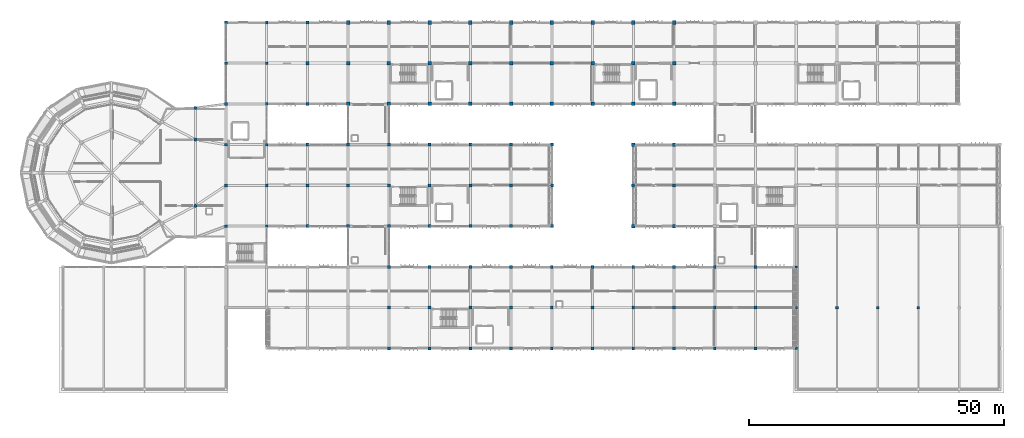
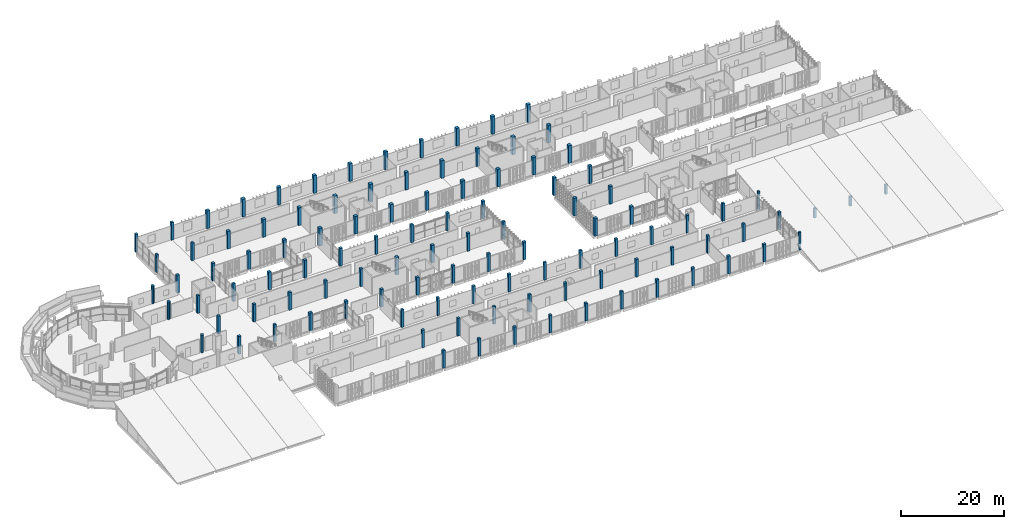
# One storey, part 5 of 83: 108 columns.
"""IFC4 building model written with IfcOpenShell, lengths in metres."""

from ifc_helpers import new_model, si_unit, direction, frame, origin, origin_2d, place, context, subcontext, project, spatial, rectangle, circle, extrude, material, material_profile, profile_set, type_object, element, save


model = new_model("IFC4")

# Units and contexts
model_context = context("Model", 3, precision=1e-05, world=origin(), true_north=direction((0.0, 1.0)))
body_context = subcontext(model_context, "Body", "Model", "MODEL_VIEW")
ifc_project = project(units=[si_unit("LENGTHUNIT", "METRE"), si_unit("AREAUNIT", "SQUARE_METRE"), si_unit("VOLUMEUNIT", "CUBIC_METRE"), si_unit("PLANEANGLEUNIT", "RADIAN"), si_unit("MASSUNIT", "GRAM", prefix="KILO")], contexts=[model_context])

# Site, building, storey
site_placement = place(None, origin())
site = spatial("IfcSite", under=ifc_project, at=site_placement, CompositionType="ELEMENT")
building_placement = place(site_placement, origin())
building = spatial("IfcBuilding", under=site, at=building_placement, Name="Jelvoka-Kovrelna Polytechnic", CompositionType="ELEMENT")
storey_placement = place(building_placement, frame((0.0, 0.0, 13.800048828125)))
storey = spatial("IfcBuildingStorey", under=building, at=storey_placement, Name="L04", CompositionType="ELEMENT", Elevation=13.800048828125)

# Columns
ifc_material_1 = material(Name="Concrete C40/50", Category="concrete")
ifc_material_profile_1 = material_profile(ifc_material_1, rectangle(XDim=0.449951171875, YDim=0.449951171875, at=origin_2d()), Name="RC 450x450")
ifc_profile_set_1 = profile_set([ifc_material_profile_1], Name="Concrete C40/50")
column_type_1 = type_object("IfcColumnType", Name="Col_RC_450", PredefinedType="COLUMN", material=ifc_profile_set_1)
for number, where, z_axis, x_axis, name in (
    (1, (160.0, 8.0, 0.0), (0.0, 0.0, 1.0), (1.0, 0.0, 0.0), "L04 column 0173"),
    (2, (160.0, 24.0, 0.0), (0.0, 0.0, 1.0), (1.0, 0.0, 0.0), "L04 column 0399"),
):
    element("IfcColumn", number, at=place(storey_placement, frame(where, z_axis=z_axis, x_axis=x_axis)), inside=storey, type_object=column_type_1, Name=name, PredefinedType="COLUMN", context=body_context, shape_type="SweptSolid", body=[
        extrude(rectangle(XDim=0.449951171875, YDim=0.449951171875, at=origin_2d()), origin(), (0.0, 0.0, 1.0), 4.199951171875),
    ])
ifc_material_2 = material(Name="Concrete C40/50", Category="concrete")
ifc_material_profile_2 = material_profile(ifc_material_2, rectangle(XDim=0.5, YDim=0.5, at=origin_2d()), Name="RC 500x500")
ifc_profile_set_2 = profile_set([ifc_material_profile_2], Name="Concrete C40/50")
column_type_2 = type_object("IfcColumnType", Name="Col_RC_500", PredefinedType="COLUMN", material=ifc_profile_set_2)
column_placement = place(storey_placement, frame((160.0, 16.0, 0.0), z_axis=(0.0, 0.0, 1.0), x_axis=(1.0, 0.0, 0.0)))
element("IfcColumn", 3, at=column_placement, inside=storey, type_object=column_type_2, Name="L04 column 0274", PredefinedType="COLUMN", context=body_context, shape_type="SweptSolid", body=[
    extrude(rectangle(XDim=0.5, YDim=0.5, at=origin_2d()), origin(), (0.0, 0.0, 1.0), 4.199951171875),
])
for number, where, z_axis, x_axis, name in (
    (4, (168.0, 16.0, 0.0), (0.0, 0.0, 1.0), (1.0, 0.0, 0.0), "L04 V5 sloped roof column 1681"),
    (5, (176.0, 16.0, 0.0), (0.0, 0.0, 1.0), (1.0, 0.0, 0.0), "L04 V5 sloped roof column 1683"),
    (6, (184.0, 16.0, 0.0), (0.0, 0.0, 1.0), (1.0, 0.0, 0.0), "L04 V5 sloped roof column 1685"),
):
    element("IfcColumn", number, at=place(storey_placement, frame(where, z_axis=z_axis, x_axis=x_axis)), inside=storey, type_object=column_type_2, Name=name, PredefinedType="COLUMN", context=body_context, shape_type="SweptSolid", body=[
        extrude(rectangle(XDim=0.5, YDim=0.5, at=origin_2d()), origin(), (0.0, 0.0, 1.0), 2.25),
    ])
ifc_material_3 = material(Name="Concrete C40/50", Category="concrete")
ifc_material_profile_3 = material_profile(ifc_material_3, rectangle(XDim=0.550048828125, YDim=0.550048828125, at=origin_2d()), Name="RC 550x550")
ifc_profile_set_3 = profile_set([ifc_material_profile_3], Name="Concrete C40/50")
column_type_3 = type_object("IfcColumnType", Name="Col_RC_550", PredefinedType="COLUMN", material=ifc_profile_set_3)
for number, where, z_axis, x_axis, name in (
    (7, (80.0, 8.0, 0.0), (0.0, 0.0, 1.0), (1.0, 0.0, 0.0), "L04 column 0113"),
    (8, (88.0, 8.0, 0.0), (0.0, 0.0, 1.0), (1.0, 0.0, 0.0), "L04 column 0119"),
    (9, (96.0, 8.0, 0.0), (0.0, 0.0, 1.0), (1.0, 0.0, 0.0), "L04 column 0125"),
    (10, (104.0, 8.0, 0.0), (0.0, 0.0, 1.0), (1.0, 0.0, 0.0), "L04 column 0131"),
    (11, (112.0, 8.0, 0.0), (0.0, 0.0, 1.0), (1.0, 0.0, 0.0), "L04 column 0137"),
    (12, (120.0, 8.0, 0.0), (0.0, 0.0, 1.0), (1.0, 0.0, 0.0), "L04 column 0143"),
    (13, (128.0, 8.0, 0.0), (0.0, 0.0, 1.0), (1.0, 0.0, 0.0), "L04 column 0149"),
    (14, (136.0, 8.0, 0.0), (0.0, 0.0, 1.0), (1.0, 0.0, 0.0), "L04 column 0155"),
    (15, (144.0, 8.0, 0.0), (0.0, 0.0, 1.0), (1.0, 0.0, 0.0), "L04 column 0161"),
    (16, (152.0, 8.0, 0.0), (0.0, 0.0, 1.0), (1.0, 0.0, 0.0), "L04 column 0167"),
    (17, (80.0, 16.0, 0.0), (0.0, 0.0, 1.0), (1.0, 0.0, 0.0), "L04 column 0214"),
    (18, (88.0, 16.0, 0.0), (0.0, 0.0, 1.0), (1.0, 0.0, 0.0), "L04 column 0220"),
    (19, (96.0, 16.0, 0.0), (0.0, 0.0, 1.0), (1.0, 0.0, 0.0), "L04 column 0226"),
    (20, (104.0, 16.0, 0.0), (0.0, 0.0, 1.0), (1.0, 0.0, 0.0), "L04 column 0232"),
    (21, (112.0, 16.0, 0.0), (0.0, 0.0, 1.0), (1.0, 0.0, 0.0), "L04 column 0238"),
    (22, (120.0, 16.0, 0.0), (0.0, 0.0, 1.0), (1.0, 0.0, 0.0), "L04 column 0244"),
    (23, (128.0, 16.0, 0.0), (0.0, 0.0, 1.0), (1.0, 0.0, 0.0), "L04 column 0250"),
    (24, (136.0, 16.0, 0.0), (0.0, 0.0, 1.0), (1.0, 0.0, 0.0), "L04 column 0256"),
    (25, (144.0, 16.0, 0.0), (0.0, 0.0, 1.0), (1.0, 0.0, 0.0), "L04 column 0262"),
    (26, (152.0, 16.0, 0.0), (0.0, 0.0, 1.0), (1.0, 0.0, 0.0), "L04 column 0268"),
    (27, (80.0, 24.0, 0.0), (0.0, 0.0, 1.0), (1.0, 0.0, 0.0), "L04 column 0339"),
    (28, (88.0, 24.0, 0.0), (0.0, 0.0, 1.0), (1.0, 0.0, 0.0), "L04 column 0345"),
    (29, (96.0, 24.0, 0.0), (0.0, 0.0, 1.0), (1.0, 0.0, 0.0), "L04 column 0351"),
    (30, (104.0, 24.0, 0.0), (0.0, 0.0, 1.0), (1.0, 0.0, 0.0), "L04 column 0357"),
    (31, (112.0, 24.0, 0.0), (0.0, 0.0, 1.0), (1.0, 0.0, 0.0), "L04 column 0363"),
    (32, (120.0, 24.0, 0.0), (0.0, 0.0, 1.0), (1.0, 0.0, 0.0), "L04 column 0369"),
    (33, (128.0, 24.0, 0.0), (0.0, 0.0, 1.0), (1.0, 0.0, 0.0), "L04 column 0375"),
    (34, (136.0, 24.0, 0.0), (0.0, 0.0, 1.0), (1.0, 0.0, 0.0), "L04 column 0381"),
    (35, (144.0, 24.0, 0.0), (0.0, 0.0, 1.0), (1.0, 0.0, 0.0), "L04 column 0387"),
    (36, (152.0, 24.0, 0.0), (0.0, 0.0, 1.0), (1.0, 0.0, 0.0), "L04 column 0393"),
    (37, (48.0, 32.0, 0.0), (0.0, 0.0, 1.0), (1.0, 0.0, 0.0), "L04 column 0436"),
    (38, (56.0, 32.0, 0.0), (0.0, 0.0, 1.0), (1.0, 0.0, 0.0), "L04 column 0442"),
    (39, (48.0, 40.0, 0.0), (0.0, 0.0, 1.0), (1.0, 0.0, 0.0), "L04 column 0618"),
    (40, (56.0, 40.0, 0.0), (0.0, 0.0, 1.0), (1.0, 0.0, 0.0), "L04 column 0624"),
    (41, (48.0, 48.0, 0.0), (0.0, 0.0, 1.0), (1.0, 0.0, 0.0), "L04 column 0782"),
    (42, (56.0, 48.0, 0.0), (0.0, 0.0, 1.0), (1.0, 0.0, 0.0), "L04 column 0788"),
    (43, (48.0, 56.0, 0.0), (0.0, 0.0, 1.0), (1.0, 0.0, 0.0), "L04 column 0976"),
    (44, (56.0, 56.0, 0.0), (0.0, 0.0, 1.0), (1.0, 0.0, 0.0), "L04 column 0982"),
    (45, (48.0, 64.0, 0.0), (0.0, 0.0, 1.0), (1.0, 0.0, 0.0), "L04 column 1143"),
    (46, (56.0, 64.0, 0.0), (0.0, 0.0, 1.0), (1.0, 0.0, 0.0), "L04 column 1149"),
    (47, (48.0, 72.0, 0.0), (0.0, 0.0, 1.0), (1.0, 0.0, 0.0), "L04 column 1304"),
    (48, (56.0, 72.0, 0.0), (0.0, 0.0, 1.0), (1.0, 0.0, 0.0), "L04 column 1310"),
):
    element("IfcColumn", number, at=place(storey_placement, frame(where, z_axis=z_axis, x_axis=x_axis)), inside=storey, type_object=column_type_3, Name=name, PredefinedType="COLUMN", context=body_context, shape_type="SweptSolid", body=[
        extrude(rectangle(XDim=0.550048828125, YDim=0.550048828125, at=origin_2d()), origin(), (0.0, 0.0, 1.0), 4.199951171875),
    ])
ifc_material_4 = material(Name="Concrete C40/50", Category="concrete")
ifc_material_profile_4 = material_profile(ifc_material_4, rectangle(XDim=0.60009765625, YDim=0.60009765625, at=origin_2d()), Name="RC 600x600")
ifc_profile_set_4 = profile_set([ifc_material_profile_4], Name="Concrete C40/50")
column_type_4 = type_object("IfcColumnType", Name="Col_RC_600", PredefinedType="COLUMN", material=ifc_profile_set_4)
for number, where, z_axis, x_axis, name in (
    (49, (64.0, 32.0, 0.0), (0.0, 0.0, 1.0), (1.0, 0.0, 0.0), "L04 column 0448"),
    (50, (72.0, 32.0, 0.0), (0.0, 0.0, 1.0), (1.0, 0.0, 0.0), "L04 column 0455"),
    (51, (80.0, 32.0, 0.0), (0.0, 0.0, 1.0), (1.0, 0.0, 0.0), "L04 column 0462"),
    (52, (88.0, 32.0, 0.0), (0.0, 0.0, 1.0), (1.0, 0.0, 0.0), "L04 column 0469"),
    (53, (96.0, 32.0, 0.0), (0.0, 0.0, 1.0), (1.0, 0.0, 0.0), "L04 column 0476"),
    (54, (104.0, 32.0, 0.0), (0.0, 0.0, 1.0), (1.0, 0.0, 0.0), "L04 column 0483"),
    (55, (112.0, 32.0, 0.0), (0.0, 0.0, 1.0), (1.0, 0.0, 0.0), "L04 column 0490"),
    (56, (64.0, 40.0, 0.0), (0.0, 0.0, 1.0), (1.0, 0.0, 0.0), "L04 column 0630"),
    (57, (72.0, 40.0, 0.0), (0.0, 0.0, 1.0), (1.0, 0.0, 0.0), "L04 column 0637"),
    (58, (80.0, 40.0, 0.0), (0.0, 0.0, 1.0), (1.0, 0.0, 0.0), "L04 column 0644"),
    (59, (88.0, 40.0, 0.0), (0.0, 0.0, 1.0), (1.0, 0.0, 0.0), "L04 column 0651"),
    (60, (96.0, 40.0, 0.0), (0.0, 0.0, 1.0), (1.0, 0.0, 0.0), "L04 column 0658"),
    (61, (104.0, 40.0, 0.0), (0.0, 0.0, 1.0), (1.0, 0.0, 0.0), "L04 column 0665"),
    (62, (112.0, 40.0, 0.0), (0.0, 0.0, 1.0), (1.0, 0.0, 0.0), "L04 column 0672"),
    (63, (64.0, 48.0, 0.0), (0.0, 0.0, 1.0), (1.0, 0.0, 0.0), "L04 column 0794"),
    (64, (72.0, 48.0, 0.0), (0.0, 0.0, 1.0), (1.0, 0.0, 0.0), "L04 column 0801"),
    (65, (80.0, 48.0, 0.0), (0.0, 0.0, 1.0), (1.0, 0.0, 0.0), "L04 column 0808"),
    (66, (88.0, 48.0, 0.0), (0.0, 0.0, 1.0), (1.0, 0.0, 0.0), "L04 column 0815"),
    (67, (96.0, 48.0, 0.0), (0.0, 0.0, 1.0), (1.0, 0.0, 0.0), "L04 column 0822"),
    (68, (104.0, 48.0, 0.0), (0.0, 0.0, 1.0), (1.0, 0.0, 0.0), "L04 column 0829"),
    (69, (112.0, 48.0, 0.0), (0.0, 0.0, 1.0), (1.0, 0.0, 0.0), "L04 column 0836"),
):
    element("IfcColumn", number, at=place(storey_placement, frame(where, z_axis=z_axis, x_axis=x_axis)), inside=storey, type_object=column_type_4, Name=name, PredefinedType="COLUMN", context=body_context, shape_type="SweptSolid", body=[
        extrude(rectangle(XDim=0.60009765625, YDim=0.60009765625, at=origin_2d()), origin(), (0.0, 0.0, 1.0), 4.199951171875),
    ])
ifc_material_5 = material(Name="Concrete C40/50", Category="concrete")
ifc_material_profile_5 = material_profile(ifc_material_5, rectangle(XDim=0.64990234375, YDim=0.64990234375, at=origin_2d()), Name="RC 650x650")
ifc_profile_set_5 = profile_set([ifc_material_profile_5], Name="Concrete C40/50")
column_type_5 = type_object("IfcColumnType", Name="Col_RC_650", PredefinedType="COLUMN", material=ifc_profile_set_5)
for number, where, z_axis, x_axis, name in (
    (70, (128.0, 32.0, 0.0), (0.0, 0.0, 1.0), (1.0, 0.0, 0.0), "L04 column 0498"),
    (71, (136.0, 32.0, 0.0), (0.0, 0.0, 1.0), (1.0, 0.0, 0.0), "L04 column 0506"),
    (72, (128.0, 40.0, 0.0), (0.0, 0.0, 1.0), (1.0, 0.0, 0.0), "L04 column 0680"),
    (73, (136.0, 40.0, 0.0), (0.0, 0.0, 1.0), (1.0, 0.0, 0.0), "L04 column 0688"),
    (74, (128.0, 48.0, 0.0), (0.0, 0.0, 1.0), (1.0, 0.0, 0.0), "L04 column 0844"),
    (75, (136.0, 48.0, 0.0), (0.0, 0.0, 1.0), (1.0, 0.0, 0.0), "L04 column 0852"),
    (76, (64.0, 56.0, 0.0), (0.0, 0.0, 1.0), (1.0, 0.0, 0.0), "L04 column 0988"),
    (77, (64.0, 64.0, 0.0), (0.0, 0.0, 1.0), (1.0, 0.0, 0.0), "L04 column 1155"),
    (78, (64.0, 72.0, 0.0), (0.0, 0.0, 1.0), (1.0, 0.0, 0.0), "L04 column 1316"),
):
    element("IfcColumn", number, at=place(storey_placement, frame(where, z_axis=z_axis, x_axis=x_axis)), inside=storey, type_object=column_type_5, Name=name, PredefinedType="COLUMN", context=body_context, shape_type="SweptSolid", body=[
        extrude(rectangle(XDim=0.64990234375, YDim=0.64990234375, at=origin_2d()), origin(), (0.0, 0.0, 1.0), 4.199951171875),
    ])
ifc_material_6 = material(Name="Concrete C40/50", Category="concrete")
ifc_material_profile_6 = material_profile(ifc_material_6, rectangle(XDim=0.699951171875, YDim=0.699951171875, at=origin_2d()), Name="RC 700x700")
ifc_profile_set_6 = profile_set([ifc_material_profile_6], Name="Concrete C40/50")
column_type_6 = type_object("IfcColumnType", Name="Col_RC_700", PredefinedType="COLUMN", material=ifc_profile_set_6)
for number, where, z_axis, x_axis, name in (
    (79, (72.0, 56.0, 0.0), (0.0, 0.0, 1.0), (1.0, 0.0, 0.0), "L04 column 0996"),
    (80, (80.0, 56.0, 0.0), (0.0, 0.0, 1.0), (1.0, 0.0, 0.0), "L04 column 1005"),
    (81, (88.0, 56.0, 0.0), (0.0, 0.0, 1.0), (1.0, 0.0, 0.0), "L04 column 1014"),
    (82, (96.0, 56.0, 0.0), (0.0, 0.0, 1.0), (1.0, 0.0, 0.0), "L04 column 1023"),
    (83, (104.0, 56.0, 0.0), (0.0, 0.0, 1.0), (1.0, 0.0, 0.0), "L04 column 1032"),
    (84, (112.0, 56.0, 0.0), (0.0, 0.0, 1.0), (1.0, 0.0, 0.0), "L04 column 1041"),
    (85, (120.0, 56.0, 0.0), (0.0, 0.0, 1.0), (1.0, 0.0, 0.0), "L04 column 1050"),
    (86, (128.0, 56.0, 0.0), (0.0, 0.0, 1.0), (1.0, 0.0, 0.0), "L04 column 1059"),
    (87, (136.0, 56.0, 0.0), (0.0, 0.0, 1.0), (1.0, 0.0, 0.0), "L04 column 1068"),
    (88, (72.0, 64.0, 0.0), (0.0, 0.0, 1.0), (1.0, 0.0, 0.0), "L04 column 1163"),
    (89, (80.0, 64.0, 0.0), (0.0, 0.0, 1.0), (1.0, 0.0, 0.0), "L04 column 1172"),
    (90, (88.0, 64.0, 0.0), (0.0, 0.0, 1.0), (1.0, 0.0, 0.0), "L04 column 1181"),
    (91, (96.0, 64.0, 0.0), (0.0, 0.0, 1.0), (1.0, 0.0, 0.0), "L04 column 1190"),
    (92, (104.0, 64.0, 0.0), (0.0, 0.0, 1.0), (1.0, 0.0, 0.0), "L04 column 1199"),
    (93, (112.0, 64.0, 0.0), (0.0, 0.0, 1.0), (1.0, 0.0, 0.0), "L04 column 1208"),
    (94, (120.0, 64.0, 0.0), (0.0, 0.0, 1.0), (1.0, 0.0, 0.0), "L04 column 1217"),
    (95, (128.0, 64.0, 0.0), (0.0, 0.0, 1.0), (1.0, 0.0, 0.0), "L04 column 1226"),
    (96, (136.0, 64.0, 0.0), (0.0, 0.0, 1.0), (1.0, 0.0, 0.0), "L04 column 1235"),
    (97, (72.0, 72.0, 0.0), (0.0, 0.0, 1.0), (1.0, 0.0, 0.0), "L04 column 1324"),
    (98, (80.0, 72.0, 0.0), (0.0, 0.0, 1.0), (1.0, 0.0, 0.0), "L04 column 1333"),
    (99, (88.0, 72.0, 0.0), (0.0, 0.0, 1.0), (1.0, 0.0, 0.0), "L04 column 1342"),
    (100, (96.0, 72.0, 0.0), (0.0, 0.0, 1.0), (1.0, 0.0, 0.0), "L04 column 1351"),
    (101, (104.0, 72.0, 0.0), (0.0, 0.0, 1.0), (1.0, 0.0, 0.0), "L04 column 1360"),
    (102, (112.0, 72.0, 0.0), (0.0, 0.0, 1.0), (1.0, 0.0, 0.0), "L04 column 1369"),
    (103, (120.0, 72.0, 0.0), (0.0, 0.0, 1.0), (1.0, 0.0, 0.0), "L04 column 1378"),
    (104, (128.0, 72.0, 0.0), (0.0, 0.0, 1.0), (1.0, 0.0, 0.0), "L04 column 1387"),
    (105, (136.0, 72.0, 0.0), (0.0, 0.0, 1.0), (1.0, 0.0, 0.0), "L04 column 1396"),
):
    element("IfcColumn", number, at=place(storey_placement, frame(where, z_axis=z_axis, x_axis=x_axis)), inside=storey, type_object=column_type_6, Name=name, PredefinedType="COLUMN", context=body_context, shape_type="SweptSolid", body=[
        extrude(rectangle(XDim=0.699951171875, YDim=0.699951171875, at=origin_2d()), origin(), (0.0, 0.0, 1.0), 4.199951171875),
    ])
ifc_material_7 = material(Name="Concrete C40/50", Category="concrete")
ifc_material_profile_7 = material_profile(ifc_material_7, circle(Radius=0.324951171875, at=origin_2d()), Name="RC D650")
ifc_profile_set_7 = profile_set([ifc_material_profile_7], Name="Concrete C40/50")
column_type_7 = type_object("IfcColumnType", Name="Col_RC_D650", PredefinedType="COLUMN", material=ifc_profile_set_7)
for number, where, z_axis, x_axis, name in (
    (106, (42.0, 36.0, 0.0), (0.0, 0.0, 1.0), (1.0, 0.0, 0.0), "L04 column 0594"),
    (107, (42.0, 49.0, 0.0), (0.0, 0.0, 1.0), (1.0, 0.0, 0.0), "L04 column 0934"),
    (108, (42.0, 55.227783203125, 0.0), (0.0, 0.0, 1.0), (1.0, 0.0, 0.0), "L04 column 0958"),
):
    element("IfcColumn", number, at=place(storey_placement, frame(where, z_axis=z_axis, x_axis=x_axis)), inside=storey, type_object=column_type_7, Name=name, PredefinedType="COLUMN", context=body_context, shape_type="SweptSolid", body=[
        extrude(circle(Radius=0.324951171875, at=origin_2d()), origin(), (0.0, 0.0, 1.0), 4.199951171875),
    ])

save(model, "model.ifc")
